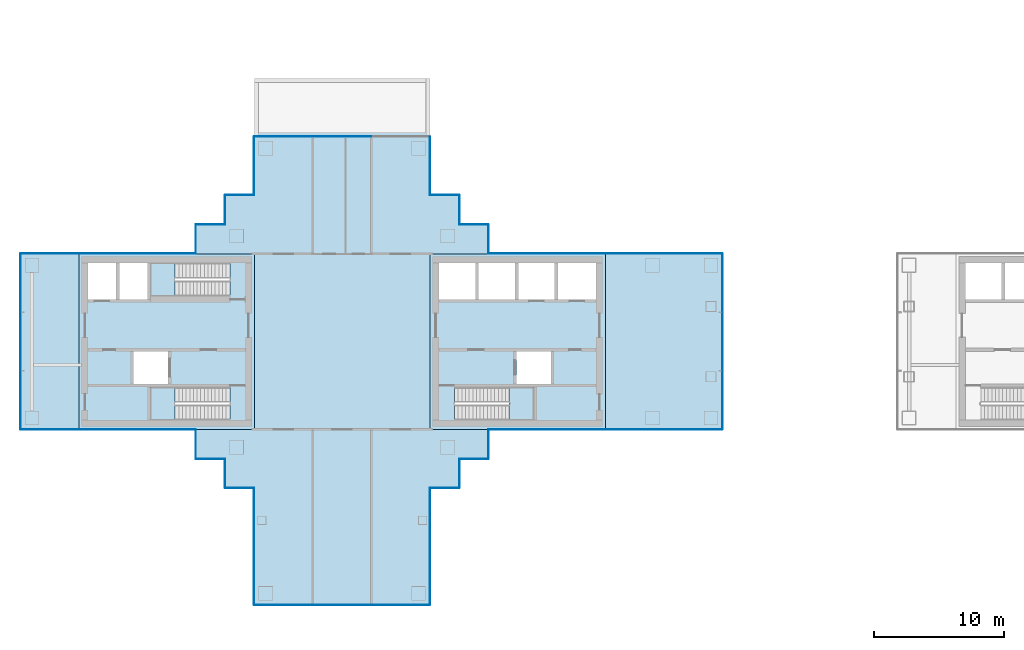
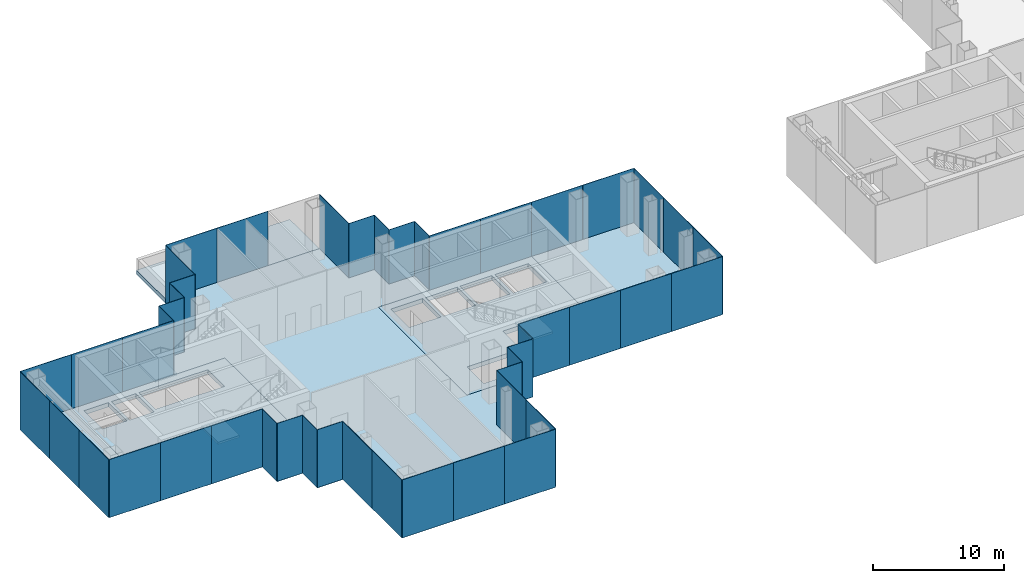
# One storey, part 6 of 15: 47 plates, 9 slabs, 23 elements without a shape of their own.
"""IFC4 building model written with IfcOpenShell, lengths in metres."""

from ifc_helpers import new_model, si_unit, direction, frame, origin, origin_2d, place, context, subcontext, project, spatial, polyline, rectangle, outline, extrude, material, layer, layer_set, type_object, element, aggregate, save


model = new_model("IFC4")

# Units and contexts
model_context = context("Model", 3, precision=1e-05, world=origin(), true_north=direction((0.0, 1.0)))
body_context = subcontext(model_context, "Body", "Model", "MODEL_VIEW")
ifc_project = project(units=[si_unit("LENGTHUNIT", "METRE"), si_unit("AREAUNIT", "SQUARE_METRE"), si_unit("VOLUMEUNIT", "CUBIC_METRE"), si_unit("PLANEANGLEUNIT", "RADIAN"), si_unit("MASSUNIT", "GRAM", prefix="KILO")], contexts=[model_context])

# Site, building, storey
site_placement = place(None, origin())
site = spatial("IfcSite", under=ifc_project, at=site_placement, CompositionType="ELEMENT")
building_placement = place(site_placement, origin())
building = spatial("IfcBuilding", under=site, at=building_placement, Name="Shamsa Quay Exchange Towers", CompositionType="ELEMENT")
storey_placement = place(building_placement, frame((0.0, 0.0, 133.5)))
storey = spatial("IfcBuildingStorey", under=building, at=storey_placement, Name="L31", CompositionType="ELEMENT", Elevation=133.5)

# Slabs
ifc_material_1 = material(Name="Concrete C50/60", Category="concrete")
ifc_layer_1 = layer(ifc_material_1, 0.39990234375)
ifc_layer_set_1 = layer_set([ifc_layer_1], Name="CORE FLOOR 400 C50/60")
slab_type_1 = type_object("IfcSlabType", Name="CORE FLOOR 400 C50/60", PredefinedType="FLOOR", material=ifc_layer_set_1)
slab_1_placement = place(storey_placement, frame((0.0, 0.0, -0.39990234375)))
element("IfcSlab", 1, at=slab_1_placement, inside=storey, type_object=slab_type_1, Name="Core floor T1A", PredefinedType="FLOOR", context=body_context, shape_type="SweptSolid", body=[
    extrude(outline(polyline([(-27.0, -6.75), (-13.5, -6.75), (-13.5, 6.75), (-27.0, 6.75), (-27.0, -6.75)]), holes=[polyline([(-25.099365234375, -6.050048828125), (-25.099365234375, -3.5), (-19.0, -3.5), (-19.0, -6.050048828125), (-25.099365234375, -6.050048828125)]), polyline([(-26.300048828125, 3.25), (-26.300048828125, 6.050048828125), (-23.5, 6.050048828125), (-23.5, 3.25), (-26.300048828125, 3.25)]), polyline([(-23.25, 3.25), (-23.25, 6.050048828125), (-20.449951171875, 6.050048828125), (-20.449951171875, 3.25), (-23.25, 3.25)]), polyline([(-20.199951171875, 3.25), (-20.199951171875, 6.050048828125), (-17.39990234375, 6.050048828125), (-17.39990234375, 3.25), (-20.199951171875, 3.25)]), polyline([(-17.14990234375, 3.25), (-17.14990234375, 6.050048828125), (-14.199951171875, 6.050048828125), (-14.199951171875, 3.25), (-17.14990234375, 3.25)]), polyline([(-20.35009765625, -3.25), (-20.35009765625, -0.75), (-17.699951171875, -0.75), (-17.699951171875, -3.25), (-20.35009765625, -3.25)])]), origin(), (0.0, 0.0, 1.0), 0.39990234375),
])
slab_2_placement = place(storey_placement, frame((0.0, 0.0, -0.39990234375)))
element("IfcSlab", 2, at=slab_2_placement, inside=storey, type_object=slab_type_1, Name="Core floor T1B", PredefinedType="FLOOR", context=body_context, shape_type="SweptSolid", body=[
    extrude(outline(polyline([(-40.5, -6.75), (-40.5, 6.75), (-54.0, 6.75), (-54.0, -6.75), (-40.5, -6.75)]), holes=[polyline([(-42.400634765625, -3.5), (-42.400634765625, -6.050048828125), (-48.5, -6.050048828125), (-48.5, -3.5), (-42.400634765625, -3.5)]), polyline([(-42.400634765625, 6.050048828125), (-42.400634765625, 3.5), (-48.5, 3.5), (-48.5, 6.050048828125), (-42.400634765625, 6.050048828125)]), polyline([(-48.75, 3.25), (-50.89990234375, 3.25), (-50.89990234375, 6.050048828125), (-48.75, 6.050048828125), (-48.75, 3.25)]), polyline([(-51.14990234375, 3.25), (-53.300048828125, 3.25), (-53.300048828125, 6.050048828125), (-51.14990234375, 6.050048828125), (-51.14990234375, 3.25)]), polyline([(-47.14990234375, -3.25), (-49.800048828125, -3.25), (-49.800048828125, -0.75), (-47.14990234375, -0.75), (-47.14990234375, -3.25)])]), origin(), (0.0, 0.0, 1.0), 0.39990234375),
])

# Stair, slab
ifc_material_2 = material(Name="Concrete C40/50", Category="concrete")
stair_type = type_object("IfcStairType", Name="EXIT STAIR 32 RISERS 169 MM", PredefinedType="HALF_TURN_STAIR", material=ifc_material_2)
stair_1_placement = place(storey_placement, origin())
stair_1 = element("IfcStair", 3, at=stair_1_placement, inside=storey, type_object=stair_type, Name="L31 Exit stair ST1", PredefinedType="HALF_TURN_STAIR")
ifc_layer_2 = layer(ifc_material_2, 0.199951171875)
ifc_layer_set_2 = layer_set([ifc_layer_2], Name="CORE STAIR LANDING")
slab_type_2 = type_object("IfcSlabType", Name="CORE STAIR LANDING", PredefinedType="LANDING", material=ifc_layer_set_2)
slab_3_placement = place(storey_placement, frame((0.0, 0.0, 2.5)))
slab_3 = element("IfcSlab", 4, at=slab_3_placement, type_object=slab_type_2, Name="ST1 landing 1", PredefinedType="LANDING", context=body_context, shape_type="SweptSolid", body=[
    extrude(outline(polyline([(-20.89990234375, -6.050048828125), (-19.0, -6.050048828125), (-19.0, -3.5), (-20.89990234375, -3.5), (-20.89990234375, -6.050048828125)])), origin(), (0.0, 0.0, 1.0), 0.199951171875),
])
aggregate(stair_1, [slab_3])

stair_2_placement = place(storey_placement, origin())
stair_2 = element("IfcStair", 5, at=stair_2_placement, inside=storey, type_object=stair_type, Name="L31 Exit stair ST2", PredefinedType="HALF_TURN_STAIR")
slab_4_placement = place(storey_placement, frame((0.0, 0.0, 2.5)))
slab_4 = element("IfcSlab", 6, at=slab_4_placement, type_object=slab_type_2, Name="ST2 landing 1", PredefinedType="LANDING", context=body_context, shape_type="SweptSolid", body=[
    extrude(outline(polyline([(-46.60009765625, -3.5), (-48.5, -3.5), (-48.5, -6.050048828125), (-46.60009765625, -6.050048828125), (-46.60009765625, -3.5)])), origin(), (0.0, 0.0, 1.0), 0.199951171875),
])
aggregate(stair_2, [slab_4])

stair_3_placement = place(storey_placement, origin())
stair_3 = element("IfcStair", 7, at=stair_3_placement, inside=storey, type_object=stair_type, Name="L31 Exit stair ST3", PredefinedType="HALF_TURN_STAIR")
slab_5_placement = place(storey_placement, frame((0.0, 0.0, 2.5)))
slab_5 = element("IfcSlab", 8, at=slab_5_placement, type_object=slab_type_2, Name="ST3 landing 1", PredefinedType="LANDING", context=body_context, shape_type="SweptSolid", body=[
    extrude(outline(polyline([(-46.60009765625, 6.050048828125), (-48.5, 6.050048828125), (-48.5, 3.5), (-46.60009765625, 3.5), (-46.60009765625, 6.050048828125)])), origin(), (0.0, 0.0, 1.0), 0.199951171875),
])
aggregate(stair_3, [slab_5])

# Curtain wall, plates
ifc_material_3 = material(Name="Aluminium EN AW-6063 T6, black anodised", Category="aluminium")
ifc_layer_3 = layer(ifc_material_3, 0.303955078125)
ifc_layer_set_3 = layer_set([ifc_layer_3], Name="CW-2 UNITISED OPAQUE SPANDREL GLASS")
curtain_wall_type_1 = type_object("IfcCurtainWallType", Name="CW-2 UNITISED OPAQUE SPANDREL GLASS", PredefinedType="NOTDEFINED", material=ifc_layer_set_3)
curtain_wall_1_placement = place(storey_placement, origin())
curtain_wall_1 = element("IfcCurtainWall", 9, at=curtain_wall_1_placement, inside=storey, type_object=curtain_wall_type_1, Name="CW2 T1-FLK-U+S L31", PredefinedType="NOTDEFINED")
ifc_material_4 = material(Name="Glass, laminated, black enamelled opaque", Category="glass")
ifc_layer_4 = layer(ifc_material_4, 0.0439453125)
ifc_layer_set_4 = layer_set([ifc_layer_4], Name="CW-2 SPANDREL GLASS 44")
plate_type_1 = type_object("IfcPlateType", Name="CW-2 SPANDREL GLASS 44", PredefinedType="CURTAIN_PANEL", material=ifc_layer_set_4)
plate_1_placement = place(storey_placement, frame((-20.22412109375, -6.77197265625, -0.349853515625)))
plate_1 = element("IfcPlate", 10, at=plate_1_placement, type_object=plate_type_1, Name="CW2 glass panel", PredefinedType="CURTAIN_PANEL", context=body_context, shape_type="SweptSolid", body=[
    extrude(rectangle(XDim=4.47607421875, YDim=0.0439453125, at=origin_2d()), origin(), (0.0, 0.0, 1.0), 5.39990234375),
])
plate_2_placement = place(storey_placement, frame((-15.738037109375, -6.77197265625, -0.349853515625)))
plate_2 = element("IfcPlate", 11, at=plate_2_placement, type_object=plate_type_1, Name="CW2 glass panel", PredefinedType="CURTAIN_PANEL", context=body_context, shape_type="SweptSolid", body=[
    extrude(rectangle(XDim=4.47607421875, YDim=0.0439453125, at=origin_2d()), origin(), (0.0, 0.0, 1.0), 5.39990234375),
])
aggregate(curtain_wall_1, [plate_1, plate_2])

curtain_wall_2_placement = place(storey_placement, origin())
curtain_wall_2 = element("IfcCurtainWall", 12, at=curtain_wall_2_placement, inside=storey, type_object=curtain_wall_type_1, Name="CW2 T1-FLK-U+N L31", PredefinedType="NOTDEFINED")
plate_3_placement = place(storey_placement, frame((-15.74755859375, 6.77197265625, -0.349853515625), z_axis=(0.0, 0.0, 1.0), x_axis=(-1.0, 0.0, 0.0)))
plate_3 = element("IfcPlate", 13, at=plate_3_placement, type_object=plate_type_1, Name="CW2 glass panel", PredefinedType="CURTAIN_PANEL", context=body_context, shape_type="SweptSolid", body=[
    extrude(rectangle(XDim=4.4951171875, YDim=0.0439453125, at=origin_2d()), origin(), (0.0, 0.0, 1.0), 5.39990234375),
])
plate_4_placement = place(storey_placement, frame((-20.25244140625, 6.77197265625, -0.349853515625), z_axis=(0.0, 0.0, 1.0), x_axis=(-1.0, 0.0, 0.0)))
plate_4 = element("IfcPlate", 14, at=plate_4_placement, type_object=plate_type_1, Name="CW2 glass panel", PredefinedType="CURTAIN_PANEL", context=body_context, shape_type="SweptSolid", body=[
    extrude(rectangle(XDim=4.4951171875, YDim=0.0439453125, at=origin_2d()), origin(), (0.0, 0.0, 1.0), 5.39990234375),
])
aggregate(curtain_wall_2, [plate_3, plate_4])

curtain_wall_3_placement = place(storey_placement, origin())
curtain_wall_3 = element("IfcCurtainWall", 15, at=curtain_wall_3_placement, inside=storey, type_object=curtain_wall_type_1, Name="CW2 T1-FLK-U-N L31", PredefinedType="NOTDEFINED")
plate_5_placement = place(storey_placement, frame((-47.27587890625, 6.77197265625, -0.349853515625), z_axis=(0.0, 0.0, 1.0), x_axis=(-1.0, 0.0, 0.0)))
plate_5 = element("IfcPlate", 16, at=plate_5_placement, type_object=plate_type_1, Name="CW2 glass panel", PredefinedType="CURTAIN_PANEL", context=body_context, shape_type="SweptSolid", body=[
    extrude(rectangle(XDim=4.47607421875, YDim=0.0439453125, at=origin_2d()), origin(), (0.0, 0.0, 1.0), 5.39990234375),
])
plate_6_placement = place(storey_placement, frame((-51.761962890625, 6.77197265625, -0.349853515625), z_axis=(0.0, 0.0, 1.0), x_axis=(-1.0, 0.0, 0.0)))
plate_6 = element("IfcPlate", 17, at=plate_6_placement, type_object=plate_type_1, Name="CW2 glass panel", PredefinedType="CURTAIN_PANEL", context=body_context, shape_type="SweptSolid", body=[
    extrude(rectangle(XDim=4.47607421875, YDim=0.0439453125, at=origin_2d()), origin(), (0.0, 0.0, 1.0), 5.39990234375),
])
aggregate(curtain_wall_3, [plate_5, plate_6])

curtain_wall_4_placement = place(storey_placement, origin())
curtain_wall_4 = element("IfcCurtainWall", 18, at=curtain_wall_4_placement, inside=storey, type_object=curtain_wall_type_1, Name="CW2 T1-FLK-U-S L31", PredefinedType="NOTDEFINED")
plate_7_placement = place(storey_placement, frame((-51.75244140625, -6.77197265625, -0.349853515625)))
plate_7 = element("IfcPlate", 19, at=plate_7_placement, type_object=plate_type_1, Name="CW2 glass panel", PredefinedType="CURTAIN_PANEL", context=body_context, shape_type="SweptSolid", body=[
    extrude(rectangle(XDim=4.4951171875, YDim=0.0439453125, at=origin_2d()), origin(), (0.0, 0.0, 1.0), 5.39990234375),
])
plate_8_placement = place(storey_placement, frame((-47.24755859375, -6.77197265625, -0.349853515625)))
plate_8 = element("IfcPlate", 20, at=plate_8_placement, type_object=plate_type_1, Name="CW2 glass panel", PredefinedType="CURTAIN_PANEL", context=body_context, shape_type="SweptSolid", body=[
    extrude(rectangle(XDim=4.4951171875, YDim=0.0439453125, at=origin_2d()), origin(), (0.0, 0.0, 1.0), 5.39990234375),
])
aggregate(curtain_wall_4, [plate_7, plate_8])

ifc_layer_5 = layer(ifc_material_3, 0.256103515625)
ifc_layer_set_5 = layer_set([ifc_layer_5], Name="CW-4 POCKET SERRATED GLAZING")
curtain_wall_type_2 = type_object("IfcCurtainWallType", Name="CW-4 POCKET SERRATED GLAZING", PredefinedType="NOTDEFINED", material=ifc_layer_set_5)
curtain_wall_5_placement = place(storey_placement, origin())
curtain_wall_5 = element("IfcCurtainWall", 21, at=curtain_wall_5_placement, inside=storey, type_object=curtain_wall_type_2, Name="CW4 PKWS L31", PredefinedType="NOTDEFINED")
ifc_material_5 = material(Name="Glass, laminated, dark tinted", Category="glass")
ifc_layer_6 = layer(ifc_material_5, 0.035888671875)
ifc_layer_set_6 = layer_set([ifc_layer_6], Name="CW-4 POCKET GLASS 36")
plate_type_2 = type_object("IfcPlateType", Name="CW-4 POCKET GLASS 36", PredefinedType="CURTAIN_PANEL", material=ifc_layer_set_6)
plate_9_placement = place(storey_placement, frame((-42.76806640625, -10.14404296875, -0.349853515625), z_axis=(0.0, 0.0, 1.0), x_axis=(0.0, -1.0, 0.0)))
plate_9 = element("IfcPlate", 22, at=plate_9_placement, type_object=plate_type_2, Name="CW4 glass panel", PredefinedType="CURTAIN_PANEL", context=body_context, shape_type="SweptSolid", body=[
    extrude(rectangle(XDim=2.2119140625, YDim=0.035888671875, at=origin_2d()), origin(), (0.0, 0.0, 1.0), 5.39990234375),
])
plate_10_placement = place(storey_placement, frame((-41.625, -11.26806640625, -0.349853515625)))
plate_10 = element("IfcPlate", 23, at=plate_10_placement, type_object=plate_type_2, Name="CW4 glass panel", PredefinedType="CURTAIN_PANEL", context=body_context, shape_type="SweptSolid", body=[
    extrude(rectangle(XDim=2.25, YDim=0.035888671875, at=origin_2d()), origin(), (0.0, 0.0, 1.0), 5.39990234375),
])
plate_11_placement = place(storey_placement, frame((-45.01806640625, -7.89794921875, -0.349853515625), z_axis=(0.0, 0.0, 1.0), x_axis=(0.0, -1.0, 0.0)))
plate_11 = element("IfcPlate", 24, at=plate_11_placement, type_object=plate_type_2, Name="CW4 glass panel", PredefinedType="CURTAIN_PANEL", context=body_context, shape_type="SweptSolid", body=[
    extrude(rectangle(XDim=2.2041015625, YDim=0.035888671875, at=origin_2d()), origin(), (0.0, 0.0, 1.0), 5.39990234375),
])
plate_12_placement = place(storey_placement, frame((-43.875, -9.01806640625, -0.349853515625)))
plate_12 = element("IfcPlate", 25, at=plate_12_placement, type_object=plate_type_2, Name="CW4 glass panel", PredefinedType="CURTAIN_PANEL", context=body_context, shape_type="SweptSolid", body=[
    extrude(rectangle(XDim=2.25, YDim=0.035888671875, at=origin_2d()), origin(), (0.0, 0.0, 1.0), 5.39990234375),
])
aggregate(curtain_wall_5, [plate_9, plate_10, plate_11, plate_12])

curtain_wall_6_placement = place(storey_placement, origin())
curtain_wall_6 = element("IfcCurtainWall", 26, at=curtain_wall_6_placement, inside=storey, type_object=curtain_wall_type_2, Name="CW4 PKES L31", PredefinedType="NOTDEFINED")
plate_13_placement = place(storey_placement, frame((-25.85205078125, -11.26806640625, -0.349853515625)))
plate_13 = element("IfcPlate", 27, at=plate_13_placement, type_object=plate_type_2, Name="CW4 glass panel", PredefinedType="CURTAIN_PANEL", context=body_context, shape_type="SweptSolid", body=[
    extrude(rectangle(XDim=2.2041015625, YDim=0.035888671875, at=origin_2d()), origin(), (0.0, 0.0, 1.0), 5.39990234375),
])
plate_14_placement = place(storey_placement, frame((-24.73193359375, -10.125, -0.349853515625), z_axis=(0.0, 0.0, 1.0), x_axis=(0.0, 1.0, 0.0)))
plate_14 = element("IfcPlate", 28, at=plate_14_placement, type_object=plate_type_2, Name="CW4 glass panel", PredefinedType="CURTAIN_PANEL", context=body_context, shape_type="SweptSolid", body=[
    extrude(rectangle(XDim=2.25, YDim=0.035888671875, at=origin_2d()), origin(), (0.0, 0.0, 1.0), 5.39990234375),
])
plate_15_placement = place(storey_placement, frame((-23.60595703125, -9.01806640625, -0.349853515625)))
plate_15 = element("IfcPlate", 29, at=plate_15_placement, type_object=plate_type_2, Name="CW4 glass panel", PredefinedType="CURTAIN_PANEL", context=body_context, shape_type="SweptSolid", body=[
    extrude(rectangle(XDim=2.2119140625, YDim=0.035888671875, at=origin_2d()), origin(), (0.0, 0.0, 1.0), 5.39990234375),
])
plate_16_placement = place(storey_placement, frame((-22.48193359375, -7.875, -0.349853515625), z_axis=(0.0, 0.0, 1.0), x_axis=(0.0, 1.0, 0.0)))
plate_16 = element("IfcPlate", 30, at=plate_16_placement, type_object=plate_type_2, Name="CW4 glass panel", PredefinedType="CURTAIN_PANEL", context=body_context, shape_type="SweptSolid", body=[
    extrude(rectangle(XDim=2.25, YDim=0.035888671875, at=origin_2d()), origin(), (0.0, 0.0, 1.0), 5.39990234375),
])
aggregate(curtain_wall_6, [plate_13, plate_14, plate_15, plate_16])

curtain_wall_7_placement = place(storey_placement, origin())
curtain_wall_7 = element("IfcCurtainWall", 31, at=curtain_wall_7_placement, inside=storey, type_object=curtain_wall_type_2, Name="CW4 PKEN L31", PredefinedType="NOTDEFINED")
plate_17_placement = place(storey_placement, frame((-22.48193359375, 7.89794921875, -0.349853515625), z_axis=(0.0, 0.0, 1.0), x_axis=(0.0, 1.0, 0.0)))
plate_17 = element("IfcPlate", 32, at=plate_17_placement, type_object=plate_type_2, Name="CW4 glass panel", PredefinedType="CURTAIN_PANEL", context=body_context, shape_type="SweptSolid", body=[
    extrude(rectangle(XDim=2.2041015625, YDim=0.035888671875, at=origin_2d()), origin(), (0.0, 0.0, 1.0), 5.39990234375),
])
plate_18_placement = place(storey_placement, frame((-23.625, 9.01806640625, -0.349853515625), z_axis=(0.0, 0.0, 1.0), x_axis=(-1.0, 0.0, 0.0)))
plate_18 = element("IfcPlate", 33, at=plate_18_placement, type_object=plate_type_2, Name="CW4 glass panel", PredefinedType="CURTAIN_PANEL", context=body_context, shape_type="SweptSolid", body=[
    extrude(rectangle(XDim=2.25, YDim=0.035888671875, at=origin_2d()), origin(), (0.0, 0.0, 1.0), 5.39990234375),
])
plate_19_placement = place(storey_placement, frame((-24.73193359375, 10.14404296875, -0.349853515625), z_axis=(0.0, 0.0, 1.0), x_axis=(0.0, 1.0, 0.0)))
plate_19 = element("IfcPlate", 34, at=plate_19_placement, type_object=plate_type_2, Name="CW4 glass panel", PredefinedType="CURTAIN_PANEL", context=body_context, shape_type="SweptSolid", body=[
    extrude(rectangle(XDim=2.2119140625, YDim=0.035888671875, at=origin_2d()), origin(), (0.0, 0.0, 1.0), 5.39990234375),
])
plate_20_placement = place(storey_placement, frame((-25.875, 11.26806640625, -0.349853515625), z_axis=(0.0, 0.0, 1.0), x_axis=(-1.0, 0.0, 0.0)))
plate_20 = element("IfcPlate", 35, at=plate_20_placement, type_object=plate_type_2, Name="CW4 glass panel", PredefinedType="CURTAIN_PANEL", context=body_context, shape_type="SweptSolid", body=[
    extrude(rectangle(XDim=2.25, YDim=0.035888671875, at=origin_2d()), origin(), (0.0, 0.0, 1.0), 5.39990234375),
])
aggregate(curtain_wall_7, [plate_17, plate_18, plate_19, plate_20])

curtain_wall_8_placement = place(storey_placement, origin())
curtain_wall_8 = element("IfcCurtainWall", 36, at=curtain_wall_8_placement, inside=storey, type_object=curtain_wall_type_2, Name="CW4 PKWN L31", PredefinedType="NOTDEFINED")
plate_21_placement = place(storey_placement, frame((-41.64794921875, 11.26806640625, -0.349853515625), z_axis=(0.0, 0.0, 1.0), x_axis=(-1.0, 0.0, 0.0)))
plate_21 = element("IfcPlate", 37, at=plate_21_placement, type_object=plate_type_2, Name="CW4 glass panel", PredefinedType="CURTAIN_PANEL", context=body_context, shape_type="SweptSolid", body=[
    extrude(rectangle(XDim=2.2041015625, YDim=0.035888671875, at=origin_2d()), origin(), (0.0, 0.0, 1.0), 5.39990234375),
])
plate_22_placement = place(storey_placement, frame((-42.76806640625, 10.125, -0.349853515625), z_axis=(0.0, 0.0, 1.0), x_axis=(0.0, -1.0, 0.0)))
plate_22 = element("IfcPlate", 38, at=plate_22_placement, type_object=plate_type_2, Name="CW4 glass panel", PredefinedType="CURTAIN_PANEL", context=body_context, shape_type="SweptSolid", body=[
    extrude(rectangle(XDim=2.25, YDim=0.035888671875, at=origin_2d()), origin(), (0.0, 0.0, 1.0), 5.39990234375),
])
plate_23_placement = place(storey_placement, frame((-43.89404296875, 9.01806640625, -0.349853515625), z_axis=(0.0, 0.0, 1.0), x_axis=(-1.0, 0.0, 0.0)))
plate_23 = element("IfcPlate", 39, at=plate_23_placement, type_object=plate_type_2, Name="CW4 glass panel", PredefinedType="CURTAIN_PANEL", context=body_context, shape_type="SweptSolid", body=[
    extrude(rectangle(XDim=2.2119140625, YDim=0.035888671875, at=origin_2d()), origin(), (0.0, 0.0, 1.0), 5.39990234375),
])
plate_24_placement = place(storey_placement, frame((-45.01806640625, 7.875, -0.349853515625), z_axis=(0.0, 0.0, 1.0), x_axis=(0.0, -1.0, 0.0)))
plate_24 = element("IfcPlate", 40, at=plate_24_placement, type_object=plate_type_2, Name="CW4 glass panel", PredefinedType="CURTAIN_PANEL", context=body_context, shape_type="SweptSolid", body=[
    extrude(rectangle(XDim=2.25, YDim=0.035888671875, at=origin_2d()), origin(), (0.0, 0.0, 1.0), 5.39990234375),
])
aggregate(curtain_wall_8, [plate_21, plate_22, plate_23, plate_24])

ifc_layer_7 = layer(ifc_material_3, 0.31396484375)
ifc_layer_set_7 = layer_set([ifc_layer_7], Name="CW-6 TALL STOREY GLAZING")
curtain_wall_type_3 = type_object("IfcCurtainWallType", Name="CW-6 TALL STOREY GLAZING", PredefinedType="NOTDEFINED", material=ifc_layer_set_7)
curtain_wall_9_placement = place(storey_placement, origin())
curtain_wall_9 = element("IfcCurtainWall", 41, at=curtain_wall_9_placement, inside=storey, type_object=curtain_wall_type_3, Name="CW6 T1-FLK-V-W L31", PredefinedType="NOTDEFINED")
ifc_layer_8 = layer(ifc_material_5, 0.0439453125)
ifc_layer_set_8 = layer_set([ifc_layer_8], Name="CW-6 TALL GLASS 44")
plate_type_3 = type_object("IfcPlateType", Name="CW-6 TALL GLASS 44", PredefinedType="CURTAIN_PANEL", material=ifc_layer_set_8)
plate_25_placement = place(storey_placement, frame((-40.52197265625, -13.52587890625, -0.349853515625), z_axis=(0.0, 0.0, 1.0), x_axis=(0.0, -1.0, 0.0)))
plate_25 = element("IfcPlate", 42, at=plate_25_placement, type_object=plate_type_3, Name="CW6 glass panel", PredefinedType="CURTAIN_PANEL", context=body_context, shape_type="SweptSolid", body=[
    extrude(rectangle(XDim=4.47607421875, YDim=0.0439453125, at=origin_2d()), origin(), (0.0, 0.0, 1.0), 5.39990234375),
])
plate_26_placement = place(storey_placement, frame((-40.52197265625, -18.011962890625, -0.349853515625), z_axis=(0.0, 0.0, 1.0), x_axis=(0.0, -1.0, 0.0)))
plate_26 = element("IfcPlate", 43, at=plate_26_placement, type_object=plate_type_3, Name="CW6 glass panel", PredefinedType="CURTAIN_PANEL", context=body_context, shape_type="SweptSolid", body=[
    extrude(rectangle(XDim=4.47607421875, YDim=0.0439453125, at=origin_2d()), origin(), (0.0, 0.0, 1.0), 5.39990234375),
])
aggregate(curtain_wall_9, [plate_25, plate_26])

curtain_wall_10_placement = place(storey_placement, origin())
curtain_wall_10 = element("IfcCurtainWall", 44, at=curtain_wall_10_placement, inside=storey, type_object=curtain_wall_type_3, Name="CW6 T1-END-V- L31", PredefinedType="NOTDEFINED")
plate_27_placement = place(storey_placement, frame((-38.25244140625, -20.27197265625, -0.349853515625)))
plate_27 = element("IfcPlate", 45, at=plate_27_placement, type_object=plate_type_3, Name="CW6 glass panel", PredefinedType="CURTAIN_PANEL", context=body_context, shape_type="SweptSolid", body=[
    extrude(rectangle(XDim=4.4951171875, YDim=0.0439453125, at=origin_2d()), origin(), (0.0, 0.0, 1.0), 5.39990234375),
])
plate_28_placement = place(storey_placement, frame((-33.75, -20.27197265625, -0.349853515625)))
plate_28 = element("IfcPlate", 46, at=plate_28_placement, type_object=plate_type_3, Name="CW6 glass panel", PredefinedType="CURTAIN_PANEL", context=body_context, shape_type="SweptSolid", body=[
    extrude(rectangle(XDim=4.489990234375, YDim=0.0439453125, at=origin_2d()), origin(), (0.0, 0.0, 1.0), 5.39990234375),
])
plate_29_placement = place(storey_placement, frame((-29.24755859375, -20.27197265625, -0.349853515625)))
plate_29 = element("IfcPlate", 47, at=plate_29_placement, type_object=plate_type_3, Name="CW6 glass panel", PredefinedType="CURTAIN_PANEL", context=body_context, shape_type="SweptSolid", body=[
    extrude(rectangle(XDim=4.4951171875, YDim=0.0439453125, at=origin_2d()), origin(), (0.0, 0.0, 1.0), 5.39990234375),
])
aggregate(curtain_wall_10, [plate_27, plate_28, plate_29])

curtain_wall_11_placement = place(storey_placement, origin())
curtain_wall_11 = element("IfcCurtainWall", 48, at=curtain_wall_11_placement, inside=storey, type_object=curtain_wall_type_3, Name="CW6 T1-FLK-V-E L31", PredefinedType="NOTDEFINED")
plate_30_placement = place(storey_placement, frame((-26.97802734375, -18.00244140625, -0.349853515625), z_axis=(0.0, 0.0, 1.0), x_axis=(0.0, 1.0, 0.0)))
plate_30 = element("IfcPlate", 49, at=plate_30_placement, type_object=plate_type_3, Name="CW6 glass panel", PredefinedType="CURTAIN_PANEL", context=body_context, shape_type="SweptSolid", body=[
    extrude(rectangle(XDim=4.4951171875, YDim=0.0439453125, at=origin_2d()), origin(), (0.0, 0.0, 1.0), 5.39990234375),
])
plate_31_placement = place(storey_placement, frame((-26.97802734375, -13.49755859375, -0.349853515625), z_axis=(0.0, 0.0, 1.0), x_axis=(0.0, 1.0, 0.0)))
plate_31 = element("IfcPlate", 50, at=plate_31_placement, type_object=plate_type_3, Name="CW6 glass panel", PredefinedType="CURTAIN_PANEL", context=body_context, shape_type="SweptSolid", body=[
    extrude(rectangle(XDim=4.4951171875, YDim=0.0439453125, at=origin_2d()), origin(), (0.0, 0.0, 1.0), 5.39990234375),
])
aggregate(curtain_wall_11, [plate_30, plate_31])

curtain_wall_12_placement = place(storey_placement, origin())
curtain_wall_12 = element("IfcCurtainWall", 51, at=curtain_wall_12_placement, inside=storey, type_object=curtain_wall_type_3, Name="CW6 T1-FLK-U+S L31", PredefinedType="NOTDEFINED")
plate_32_placement = place(storey_placement, frame((-11.25244140625, -6.77197265625, -0.349853515625)))
plate_32 = element("IfcPlate", 52, at=plate_32_placement, type_object=plate_type_3, Name="CW6 glass panel", PredefinedType="CURTAIN_PANEL", context=body_context, shape_type="SweptSolid", body=[
    extrude(rectangle(XDim=4.4951171875, YDim=0.0439453125, at=origin_2d()), origin(), (0.0, 0.0, 1.0), 5.39990234375),
])
plate_33_placement = place(storey_placement, frame((-6.74755859375, -6.77197265625, -0.349853515625)))
plate_33 = element("IfcPlate", 53, at=plate_33_placement, type_object=plate_type_3, Name="CW6 glass panel", PredefinedType="CURTAIN_PANEL", context=body_context, shape_type="SweptSolid", body=[
    extrude(rectangle(XDim=4.4951171875, YDim=0.0439453125, at=origin_2d()), origin(), (0.0, 0.0, 1.0), 5.39990234375),
])
aggregate(curtain_wall_12, [plate_32, plate_33])

curtain_wall_13_placement = place(storey_placement, origin())
curtain_wall_13 = element("IfcCurtainWall", 54, at=curtain_wall_13_placement, inside=storey, type_object=curtain_wall_type_3, Name="CW6 T1-END-U+ L31", PredefinedType="NOTDEFINED")
plate_34_placement = place(storey_placement, frame((-4.47802734375, -4.50244140625, -0.349853515625), z_axis=(0.0, 0.0, 1.0), x_axis=(0.0, 1.0, 0.0)))
plate_34 = element("IfcPlate", 55, at=plate_34_placement, type_object=plate_type_3, Name="CW6 glass panel", PredefinedType="CURTAIN_PANEL", context=body_context, shape_type="SweptSolid", body=[
    extrude(rectangle(XDim=4.4951171875, YDim=0.0439453125, at=origin_2d()), origin(), (0.0, 0.0, 1.0), 5.39990234375),
])
plate_35_placement = place(storey_placement, frame((-4.47802734375, 0.0, -0.349853515625), z_axis=(0.0, 0.0, 1.0), x_axis=(0.0, 1.0, 0.0)))
plate_35 = element("IfcPlate", 56, at=plate_35_placement, type_object=plate_type_3, Name="CW6 glass panel", PredefinedType="CURTAIN_PANEL", context=body_context, shape_type="SweptSolid", body=[
    extrude(rectangle(XDim=4.489990234375, YDim=0.0439453125, at=origin_2d()), origin(), (0.0, 0.0, 1.0), 5.39990234375),
])
plate_36_placement = place(storey_placement, frame((-4.47802734375, 4.50244140625, -0.349853515625), z_axis=(0.0, 0.0, 1.0), x_axis=(0.0, 1.0, 0.0)))
plate_36 = element("IfcPlate", 57, at=plate_36_placement, type_object=plate_type_3, Name="CW6 glass panel", PredefinedType="CURTAIN_PANEL", context=body_context, shape_type="SweptSolid", body=[
    extrude(rectangle(XDim=4.4951171875, YDim=0.0439453125, at=origin_2d()), origin(), (0.0, 0.0, 1.0), 5.39990234375),
])
aggregate(curtain_wall_13, [plate_34, plate_35, plate_36])

curtain_wall_14_placement = place(storey_placement, origin())
curtain_wall_14 = element("IfcCurtainWall", 58, at=curtain_wall_14_placement, inside=storey, type_object=curtain_wall_type_3, Name="CW6 T1-FLK-U+N L31", PredefinedType="NOTDEFINED")
plate_37_placement = place(storey_placement, frame((-6.74755859375, 6.77197265625, -0.349853515625), z_axis=(0.0, 0.0, 1.0), x_axis=(-1.0, 0.0, 0.0)))
plate_37 = element("IfcPlate", 59, at=plate_37_placement, type_object=plate_type_3, Name="CW6 glass panel", PredefinedType="CURTAIN_PANEL", context=body_context, shape_type="SweptSolid", body=[
    extrude(rectangle(XDim=4.4951171875, YDim=0.0439453125, at=origin_2d()), origin(), (0.0, 0.0, 1.0), 5.39990234375),
])
plate_38_placement = place(storey_placement, frame((-11.25244140625, 6.77197265625, -0.349853515625), z_axis=(0.0, 0.0, 1.0), x_axis=(-1.0, 0.0, 0.0)))
plate_38 = element("IfcPlate", 60, at=plate_38_placement, type_object=plate_type_3, Name="CW6 glass panel", PredefinedType="CURTAIN_PANEL", context=body_context, shape_type="SweptSolid", body=[
    extrude(rectangle(XDim=4.4951171875, YDim=0.0439453125, at=origin_2d()), origin(), (0.0, 0.0, 1.0), 5.39990234375),
])
aggregate(curtain_wall_14, [plate_37, plate_38])

# Curtain wall, plate
curtain_wall_15_placement = place(storey_placement, origin())
curtain_wall_15 = element("IfcCurtainWall", 61, at=curtain_wall_15_placement, inside=storey, type_object=curtain_wall_type_3, Name="CW6 T1-FLK-V+E L31", PredefinedType="NOTDEFINED")
plate_39_placement = place(storey_placement, frame((-26.97802734375, 13.51904296875, -0.349853515625), z_axis=(0.0, 0.0, 1.0), x_axis=(0.0, 1.0, 0.0)))
plate_39 = element("IfcPlate", 62, at=plate_39_placement, type_object=plate_type_3, Name="CW6 glass panel", PredefinedType="CURTAIN_PANEL", context=body_context, shape_type="SweptSolid", body=[
    extrude(rectangle(XDim=4.4619140625, YDim=0.0439453125, at=origin_2d()), origin(), (0.0, 0.0, 1.0), 5.39990234375),
])
aggregate(curtain_wall_15, [plate_39])

# Curtain wall, plates
curtain_wall_16_placement = place(storey_placement, origin())
curtain_wall_16 = element("IfcCurtainWall", 63, at=curtain_wall_16_placement, inside=storey, type_object=curtain_wall_type_3, Name="CW6 T1-END-V+ L31", PredefinedType="NOTDEFINED")
plate_40_placement = place(storey_placement, frame((-33.75, 15.77197265625, -0.349853515625), z_axis=(0.0, 0.0, 1.0), x_axis=(-1.0, 0.0, 0.0)))
plate_40 = element("IfcPlate", 64, at=plate_40_placement, type_object=plate_type_3, Name="CW6 glass panel", PredefinedType="CURTAIN_PANEL", context=body_context, shape_type="SweptSolid", body=[
    extrude(rectangle(XDim=4.489990234375, YDim=0.0439453125, at=origin_2d()), origin(), (0.0, 0.0, 1.0), 5.39990234375),
])
plate_41_placement = place(storey_placement, frame((-38.25244140625, 15.77197265625, -0.349853515625), z_axis=(0.0, 0.0, 1.0), x_axis=(-1.0, 0.0, 0.0)))
plate_41 = element("IfcPlate", 65, at=plate_41_placement, type_object=plate_type_3, Name="CW6 glass panel", PredefinedType="CURTAIN_PANEL", context=body_context, shape_type="SweptSolid", body=[
    extrude(rectangle(XDim=4.4951171875, YDim=0.0439453125, at=origin_2d()), origin(), (0.0, 0.0, 1.0), 5.39990234375),
])
aggregate(curtain_wall_16, [plate_40, plate_41])

# Curtain wall, plate
curtain_wall_17_placement = place(storey_placement, origin())
curtain_wall_17 = element("IfcCurtainWall", 66, at=curtain_wall_17_placement, inside=storey, type_object=curtain_wall_type_3, Name="CW6 T1-FLK-V+W L31", PredefinedType="NOTDEFINED")
plate_42_placement = place(storey_placement, frame((-40.52197265625, 13.5, -0.349853515625), z_axis=(0.0, 0.0, 1.0), x_axis=(0.0, -1.0, 0.0)))
plate_42 = element("IfcPlate", 67, at=plate_42_placement, type_object=plate_type_3, Name="CW6 glass panel", PredefinedType="CURTAIN_PANEL", context=body_context, shape_type="SweptSolid", body=[
    extrude(rectangle(XDim=4.5, YDim=0.0439453125, at=origin_2d()), origin(), (0.0, 0.0, 1.0), 5.39990234375),
])
aggregate(curtain_wall_17, [plate_42])

curtain_wall_18_placement = place(storey_placement, origin())
curtain_wall_18 = element("IfcCurtainWall", 68, at=curtain_wall_18_placement, inside=storey, type_object=curtain_wall_type_3, Name="CW6 T1-FLK-U-N L31", PredefinedType="NOTDEFINED")
plate_43_placement = place(storey_placement, frame((-56.25, 6.77197265625, -0.349853515625), z_axis=(0.0, 0.0, 1.0), x_axis=(-1.0, 0.0, 0.0)))
plate_43 = element("IfcPlate", 69, at=plate_43_placement, type_object=plate_type_3, Name="CW6 glass panel", PredefinedType="CURTAIN_PANEL", context=body_context, shape_type="SweptSolid", body=[
    extrude(rectangle(XDim=4.5, YDim=0.0439453125, at=origin_2d()), origin(), (0.0, 0.0, 1.0), 5.39990234375),
])
aggregate(curtain_wall_18, [plate_43])

# Curtain wall, plates
curtain_wall_19_placement = place(storey_placement, origin())
curtain_wall_19 = element("IfcCurtainWall", 70, at=curtain_wall_19_placement, inside=storey, type_object=curtain_wall_type_3, Name="CW6 T1-END-U- L31", PredefinedType="NOTDEFINED")
plate_44_placement = place(storey_placement, frame((-58.52197265625, 4.50244140625, -0.349853515625), z_axis=(0.0, 0.0, 1.0), x_axis=(0.0, -1.0, 0.0)))
plate_44 = element("IfcPlate", 71, at=plate_44_placement, type_object=plate_type_3, Name="CW6 glass panel", PredefinedType="CURTAIN_PANEL", context=body_context, shape_type="SweptSolid", body=[
    extrude(rectangle(XDim=4.4951171875, YDim=0.0439453125, at=origin_2d()), origin(), (0.0, 0.0, 1.0), 5.39990234375),
])
plate_45_placement = place(storey_placement, frame((-58.52197265625, 0.0, -0.349853515625), z_axis=(0.0, 0.0, 1.0), x_axis=(0.0, -1.0, 0.0)))
plate_45 = element("IfcPlate", 72, at=plate_45_placement, type_object=plate_type_3, Name="CW6 glass panel", PredefinedType="CURTAIN_PANEL", context=body_context, shape_type="SweptSolid", body=[
    extrude(rectangle(XDim=4.489990234375, YDim=0.0439453125, at=origin_2d()), origin(), (0.0, 0.0, 1.0), 5.39990234375),
])
plate_46_placement = place(storey_placement, frame((-58.52197265625, -4.50244140625, -0.349853515625), z_axis=(0.0, 0.0, 1.0), x_axis=(0.0, -1.0, 0.0)))
plate_46 = element("IfcPlate", 73, at=plate_46_placement, type_object=plate_type_3, Name="CW6 glass panel", PredefinedType="CURTAIN_PANEL", context=body_context, shape_type="SweptSolid", body=[
    extrude(rectangle(XDim=4.4951171875, YDim=0.0439453125, at=origin_2d()), origin(), (0.0, 0.0, 1.0), 5.39990234375),
])
aggregate(curtain_wall_19, [plate_44, plate_45, plate_46])

# Curtain wall, plate
curtain_wall_20_placement = place(storey_placement, origin())
curtain_wall_20 = element("IfcCurtainWall", 74, at=curtain_wall_20_placement, inside=storey, type_object=curtain_wall_type_3, Name="CW6 T1-FLK-U-S L31", PredefinedType="NOTDEFINED")
plate_47_placement = place(storey_placement, frame((-56.25, -6.77197265625, -0.349853515625)))
plate_47 = element("IfcPlate", 75, at=plate_47_placement, type_object=plate_type_3, Name="CW6 glass panel", PredefinedType="CURTAIN_PANEL", context=body_context, shape_type="SweptSolid", body=[
    extrude(rectangle(XDim=4.5, YDim=0.0439453125, at=origin_2d()), origin(), (0.0, 0.0, 1.0), 5.39990234375),
])
aggregate(curtain_wall_20, [plate_47])

# Slabs
ifc_layer_9 = layer(ifc_material_2, 0.39990234375)
ifc_layer_set_9 = layer_set([ifc_layer_9], Name="Flat slab 400")
slab_type_3 = type_object("IfcSlabType", Name="Flat slab 400", PredefinedType="FLOOR", material=ifc_layer_set_9)
slab_6_placement = place(storey_placement, frame((0.0, 0.0, -0.39990234375)))
element("IfcSlab", 76, at=slab_6_placement, inside=storey, type_object=slab_type_3, Name="Flat slab T1 L31 1", PredefinedType="FLOOR", context=body_context, shape_type="SweptSolid", body=[
    extrude(outline(polyline([(-58.5, -6.75), (-54.0, -6.75), (-54.0, 6.75), (-58.5, 6.75), (-58.5, -6.75)])), origin(), (0.0, 0.0, 1.0), 0.39990234375),
])
slab_7_placement = place(storey_placement, frame((0.0, 0.0, -0.39990234375)))
element("IfcSlab", 77, at=slab_7_placement, inside=storey, type_object=slab_type_3, Name="Flat slab T1 L31 2", PredefinedType="FLOOR", context=body_context, shape_type="SweptSolid", body=[
    extrude(outline(polyline([(-22.5, -9.0), (-22.5, -6.75), (-27.0, -6.75), (-27.0, 6.75), (-22.5, 6.75), (-22.5, 9.0), (-24.75, 9.0), (-24.75, 11.25), (-27.0, 11.25), (-27.0, 15.75), (-40.5, 15.75), (-40.5, 11.25), (-42.75, 11.25), (-42.75, 9.0), (-45.0, 9.0), (-45.0, 6.75), (-40.5, 6.75), (-40.5, -6.75), (-45.0, -6.75), (-45.0, -9.0), (-42.75, -9.0), (-42.75, -11.25), (-40.5, -11.25), (-40.5, -20.25), (-27.0, -20.25), (-27.0, -11.25), (-24.75, -11.25), (-24.75, -9.0), (-22.5, -9.0)])), origin(), (0.0, 0.0, 1.0), 0.39990234375),
])
slab_8_placement = place(storey_placement, frame((0.0, 0.0, -0.39990234375)))
element("IfcSlab", 78, at=slab_8_placement, inside=storey, type_object=slab_type_3, Name="Flat slab T1 L31 3", PredefinedType="FLOOR", context=body_context, shape_type="SweptSolid", body=[
    extrude(outline(polyline([(-4.5, 6.75), (-13.5, 6.75), (-13.5, -6.75), (-4.5, -6.75), (-4.5, 6.75)])), origin(), (0.0, 0.0, 1.0), 0.39990234375),
])
ifc_layer_10 = layer(ifc_material_2, 0.39990234375)
ifc_layer_set_10 = layer_set([ifc_layer_10], Name="Terrace roof slab 400")
slab_type_4 = type_object("IfcSlabType", Name="Terrace roof slab 400", PredefinedType="ROOF", material=ifc_layer_set_10)
slab_9_placement = place(storey_placement, frame((0.0, 0.0, -0.39990234375)))
element("IfcSlab", 79, at=slab_9_placement, inside=storey, type_object=slab_type_4, Name="Roof slab T1 over L30 1", PredefinedType="ROOF", context=body_context, shape_type="SweptSolid", body=[
    extrude(outline(polyline([(-40.5, 20.25), (-40.5, 15.75), (-27.0, 15.75), (-27.0, 20.25), (-40.5, 20.25)])), origin(), (0.0, 0.0, 1.0), 0.39990234375),
])

save(model, "model.ifc")
